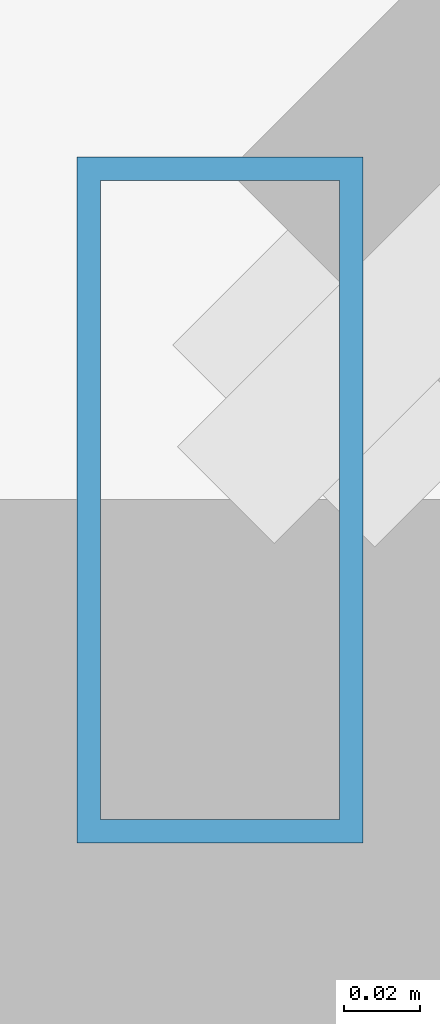
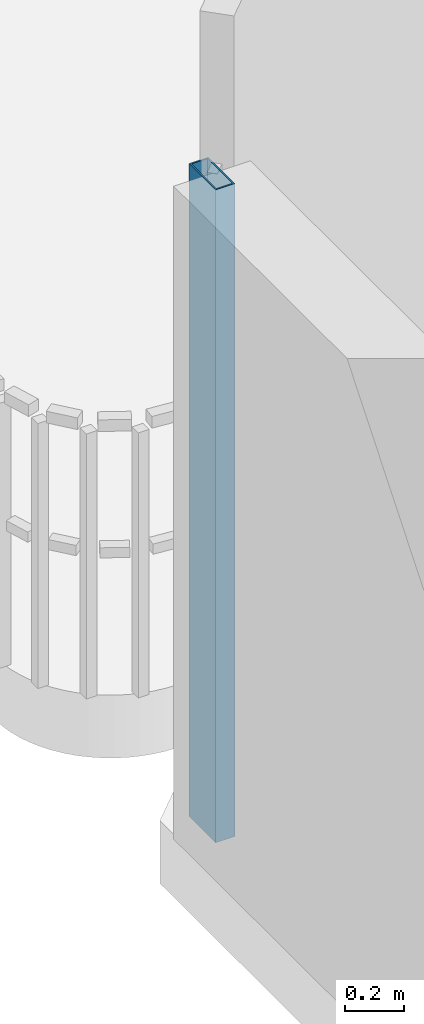
# One storey, part 11 of 32: 1 member, 1 element without a shape of its own.
"""IFC4 building model written with IfcOpenShell, lengths in metres."""

import ifcopenshell
import ifcopenshell.guid

model = None  # the IFC model being written
_history = None  # IfcOwnerHistory: only IFC2X3 demands one
_inside = {}  # id of a spatial element -> (the spatial element, [elements in it])
_under = {}  # id of a project, library or spatial element -> (it, [spatial elements below it])
_declared = {}  # id of a project -> (the project, [libraries it declares])
_typed = {}  # id of a type object -> (the type object, [elements of that type])
_made_of = {}  # id of a material, layer set ... -> (it, [elements and type objects made of it])


def new_model(schema):
    """Start an empty IFC model of exactly this schema.

    Asked for "IFC4X3", IfcOpenShell would pick the latest addendum, in which some entities
    have other attributes; the version numbers below select the first issue.
    IFC2X3 requires an IfcOwnerHistory on every rooted entity: one is made here for all.
    """
    global model, _history
    if schema == "IFC4X3":
        model = ifcopenshell.file(schema_version=(4, 3, 0, 0))
    else:
        model = ifcopenshell.file(schema=schema)
    _inside.clear()
    _under.clear()
    _declared.clear()
    _typed.clear()
    _made_of.clear()
    _history = None
    if model.schema == "IFC2X3":
        org = make("IfcOrganization", Name="unknown")
        user = make(
            "IfcPersonAndOrganization",
            ThePerson=make("IfcPerson", FamilyName="unknown"),
            TheOrganization=org,
        )
        app = make(
            "IfcApplication",
            ApplicationDeveloper=org,
            Version="unknown",
            ApplicationFullName="unknown",
            ApplicationIdentifier="unknown",
        )
        _history = make(
            "IfcOwnerHistory",
            OwningUser=user,
            OwningApplication=app,
            ChangeAction="ADDED",
            CreationDate=0,
        )
    return model


def make(cls, **values):
    """One entity of the class cls with the attributes given. An attribute that is None is left unset."""
    return model.create_entity(
        cls, **{name: value for name, value in values.items() if value is not None}
    )


def rooted(cls, **values):
    """An entity with a GlobalId (a new one), such as an element, a storey or a relation."""
    return make(cls, GlobalId=ifcopenshell.guid.new(), OwnerHistory=_history, **values)


def si_unit(unit_type, name, prefix=None):
    """IfcSIUnit, for example si_unit("LENGTHUNIT", "METRE", prefix="MILLI")."""
    return make("IfcSIUnit", UnitType=unit_type, Prefix=prefix, Name=name)


def assignment(units):
    """IfcUnitAssignment: the units of a project."""
    return None if units is None else make("IfcUnitAssignment", Units=units)


def point(xyz):
    """IfcCartesianPoint."""
    return None if xyz is None else make("IfcCartesianPoint", Coordinates=xyz)


def direction(xyz):
    """IfcDirection."""
    return None if xyz is None else make("IfcDirection", DirectionRatios=xyz)


def frame(location, z_axis=None, x_axis=None):
    """IfcAxis2Placement3D, a coordinate frame: its origin and axes. An axis left out is left unset."""
    return make(
        "IfcAxis2Placement3D",
        Location=point(location),
        Axis=direction(z_axis),
        RefDirection=direction(x_axis),
    )


def frame_2d(location, x_axis=None):
    """IfcAxis2Placement2D, a coordinate frame in the plane: its origin and x axis."""
    return make(
        "IfcAxis2Placement2D", Location=point(location), RefDirection=direction(x_axis)
    )


def origin():
    """The frame at (0, 0, 0) with its axes left unset."""
    return frame((0.0, 0.0, 0.0))


def origin_2d():
    """The frame at (0, 0) in the plane with its x axis left unset."""
    return frame_2d((0.0, 0.0))


def place(relative_to, where):
    """IfcLocalPlacement: puts the frame where relative to a parent placement (None: the world)."""
    return make(
        "IfcLocalPlacement", PlacementRelTo=relative_to, RelativePlacement=where
    )


def context(
    kind, dimensions, precision=None, world=None, true_north=None, identifier=None
):
    """IfcGeometricRepresentationContext, for example the 3D "Model" context."""
    return make(
        "IfcGeometricRepresentationContext",
        ContextIdentifier=identifier,
        ContextType=kind,
        CoordinateSpaceDimension=dimensions,
        Precision=precision,
        WorldCoordinateSystem=world,
        TrueNorth=true_north,
    )


def subcontext(parent, identifier, kind, view, scale=None):
    """IfcGeometricRepresentationSubContext, for example "Body" below "Model"."""
    return make(
        "IfcGeometricRepresentationSubContext",
        ContextIdentifier=identifier,
        ContextType=kind,
        ParentContext=parent,
        TargetScale=scale,
        TargetView=view,
    )


def project(units=None, contexts=None):
    """IfcProject with its units and contexts."""
    return rooted(
        "IfcProject",
        Name="project",
        RepresentationContexts=contexts,
        UnitsInContext=assignment(units),
    )


def spatial(cls, under=None, at=None, **own):
    """A site, building, storey or space (cls), placed at a placement, below another one or the project."""
    s = rooted(cls, ObjectPlacement=at, **own)
    if under is not None:
        _under.setdefault(under.id(), (under, []))[1].append(s)
    return s


def profile(cls, at=None, kind="AREA", **sizes):
    """A parametric profile (cls). Its sizes go by their IFC names, for example OverallWidth=200.0."""
    return make(cls, ProfileType=kind, Position=at, **sizes)


def hollow_rectangle(**sizes):
    """IfcRectangleHollowProfileDef."""
    return profile("IfcRectangleHollowProfileDef", **sizes)


def extrude(swept, where, along, depth):
    """IfcExtrudedAreaSolid: the profile swept, set in the frame where, extruded along a direction by depth."""
    return make(
        "IfcExtrudedAreaSolid",
        SweptArea=swept,
        Position=where,
        ExtrudedDirection=direction(along),
        Depth=depth,
    )


def shape(context_of_items, identifier, shape_type, items):
    """IfcShapeRepresentation: the items that make up one representation, for example the "Body"."""
    return make(
        "IfcShapeRepresentation",
        ContextOfItems=context_of_items,
        RepresentationIdentifier=identifier,
        RepresentationType=shape_type,
        Items=items,
    )


def material(Name=None, Category=None):
    """IfcMaterial."""
    return make("IfcMaterial", Name=Name, Category=Category)


def material_profile(
    of_material, cross_section, Name=None, Category=None, Priority=None
):
    """IfcMaterialProfile: a cross section and its material."""
    return make(
        "IfcMaterialProfile",
        Name=Name,
        Material=of_material,
        Profile=cross_section,
        Priority=Priority,
        Category=Category,
    )


def profile_set(profiles, Name=None, composite=None):
    """IfcMaterialProfileSet."""
    return make(
        "IfcMaterialProfileSet",
        Name=Name,
        MaterialProfiles=profiles,
        CompositeProfile=composite,
    )


def made_of(thing, what):
    """Note that an element or type object is made of a material, layer set ...; save() writes the relation."""
    if what is not None:
        _made_of.setdefault(what.id(), (what, []))[1].append(thing)
    return thing


def type_object(cls, material=None, **own):
    """A type object (cls), such as IfcWallType, which elements share."""
    return made_of(rooted(cls, **own), material)


def element(
    cls,
    number,
    at=None,
    inside=None,
    cuts=None,
    type_object=None,
    material=None,
    context=None,
    identifier="Body",
    shape_type=None,
    held_by="IfcProductDefinitionShape",
    body=None,
    shapes=None,
    **own,
):
    """One element of the class cls, such as IfcWall. Its Tag is "e" and its number.

    at: its placement. inside: the storey or other place that contains it. cuts: it is an
    opening in that element (IfcRelVoidsElement). A single representation is given by context,
    identifier, shape_type and body (its items); several are given by shapes. held_by: the class
    of the entity that holds the representations. save() writes the other relations.
    """
    e = rooted(cls, Tag="e%d" % number, ObjectPlacement=at, **own)
    if body is not None:
        shapes = [shape(context, identifier, shape_type, body)]
    if shapes is not None:
        e.Representation = make(held_by, Representations=shapes)
    if inside is not None:
        _inside.setdefault(inside.id(), (inside, []))[1].append(e)
    if cuts is not None:
        rooted(
            "IfcRelVoidsElement", RelatingBuildingElement=cuts, RelatedOpeningElement=e
        )
    if type_object is not None:
        _typed.setdefault(type_object.id(), (type_object, []))[1].append(e)
    return made_of(e, material)


def aggregate(whole, parts):
    """IfcRelAggregates: a whole, such as a stair, and the parts it consists of."""
    return rooted("IfcRelAggregates", RelatingObject=whole, RelatedObjects=parts)


def save(model, path):
    """Write the relations noted so far, then the file.

    IfcRelAggregates (storeys below a building ...), IfcRelContainedInSpatialStructure (elements
    in a storey), IfcRelDefinesByType, IfcRelAssociatesMaterial and IfcRelDeclares: one each for
    every whole, place, type object, material and project.
    """
    for whole, parts in _under.values():
        aggregate(whole, parts)
    for where, things in _inside.values():
        rooted(
            "IfcRelContainedInSpatialStructure",
            RelatedElements=things,
            RelatingStructure=where,
        )
    for kind, things in _typed.values():
        rooted("IfcRelDefinesByType", RelatedObjects=things, RelatingType=kind)
    for what, things in _made_of.values():
        rooted("IfcRelAssociatesMaterial", RelatedObjects=things, RelatingMaterial=what)
    for by, libraries in _declared.values():
        rooted("IfcRelDeclares", RelatingContext=by, RelatedDefinitions=libraries)
    model.write(path)


model = new_model("IFC4")

# Units and contexts
model_context = context("Model", 3, precision=1e-05, world=origin(), true_north=direction((0.0, 1.0)))
body_context = subcontext(model_context, "Body", "Model", "MODEL_VIEW")
ifc_project = project(units=[si_unit("LENGTHUNIT", "METRE"), si_unit("AREAUNIT", "SQUARE_METRE"), si_unit("VOLUMEUNIT", "CUBIC_METRE"), si_unit("PLANEANGLEUNIT", "RADIAN"), si_unit("MASSUNIT", "GRAM", prefix="KILO")], contexts=[model_context])

# Site, building, storey
site_placement = place(None, origin())
site = spatial("IfcSite", under=ifc_project, at=site_placement, CompositionType="ELEMENT")
building_placement = place(site_placement, origin())
building = spatial("IfcBuilding", under=site, at=building_placement, Name="Thornwick Lancets Civic Towers", CompositionType="ELEMENT")
storey_placement = place(building_placement, frame((0.0, 0.0, 200.10009765625)))
storey = spatial("IfcBuildingStorey", under=building, at=storey_placement, Name="L53", CompositionType="ELEMENT", Elevation=200.10009765625)

# Curtain wall, member
ifc_material_1 = material(Name="High-zone chamfered-corner unitised glass curtain wall", Category="glass")
curtain_wall_type = type_object("IfcCurtainWallType", Name="CW_SYS_05", PredefinedType="NOTDEFINED", material=ifc_material_1)
curtain_wall_placement = place(storey_placement, origin())
curtain_wall = element("IfcCurtainWall", 1, at=curtain_wall_placement, inside=storey, type_object=curtain_wall_type, Name="L53 Curtain Wall CW-L53-B-E5", PredefinedType="NOTDEFINED")
ifc_material_2 = material(Name="Thermally broken bronze aluminium S355", Category="steel")
ifc_material_profile = material_profile(ifc_material_2, hollow_rectangle(XDim=0.074951171875, YDim=0.179931640625, WallThickness=0.006103515625, at=origin_2d()), Name="RHS 180x75x6")
ifc_profile_set = profile_set([ifc_material_profile], Name="Thermally broken bronze aluminium S355")
member_type = type_object("IfcMemberType", Name="CW_MUL_180", PredefinedType="MULLION", material=ifc_profile_set)
member_placement = place(storey_placement, frame((64.7353515625, 42.181396484375, 0.0), z_axis=(0.0, 0.0, 1.0), x_axis=(1.0, 0.0, 0.0)))
member = element("IfcMember", 2, at=member_placement, type_object=member_type, Name="CW-L53-B-E5 Mullion 1", PredefinedType="MULLION", context=body_context, shape_type="SweptSolid", body=[
    extrude(hollow_rectangle(XDim=0.074951171875, YDim=0.179931640625, WallThickness=0.006103515625, at=origin_2d()), origin(), (0.0, 0.0, 1.0), 2.699951171875),
])
aggregate(curtain_wall, [member])

save(model, "model.ifc")
